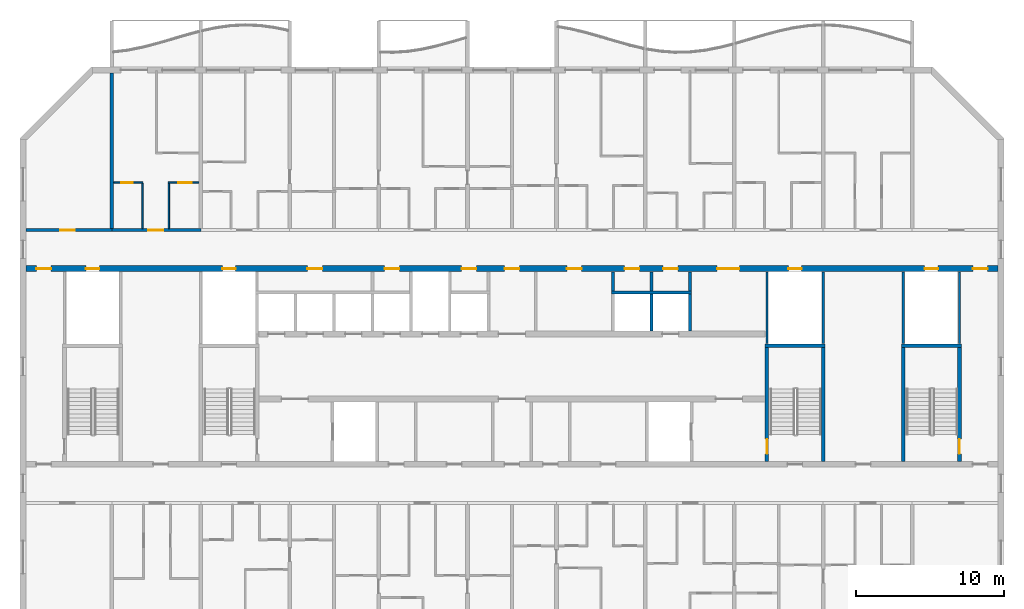
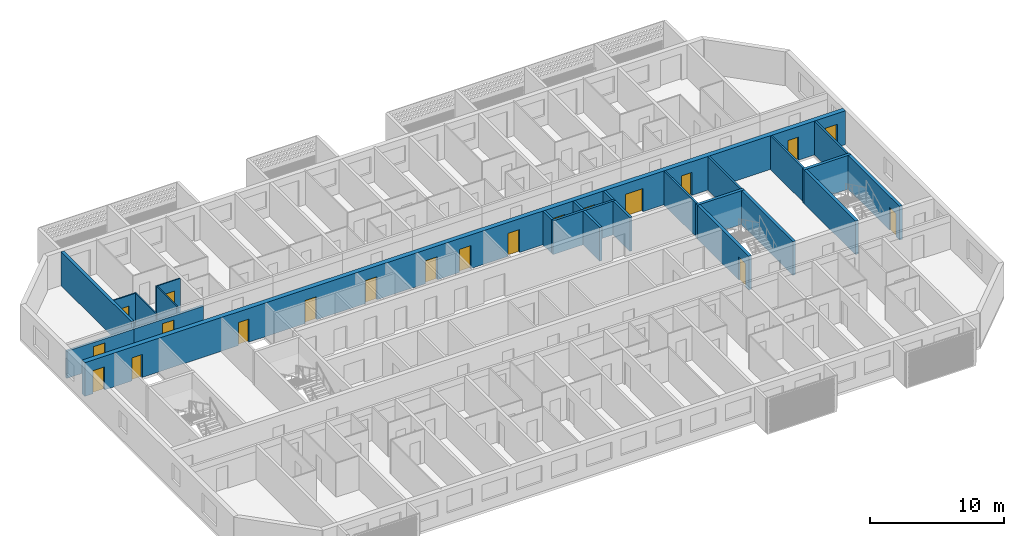
# One storey, part 7 of 28: 24 walls, 20 doors, 20 openings.
"""IFC4 building model written with IfcOpenShell, lengths in metres."""

from ifc_helpers import new_model, si_unit, direction, frame, frame_2d, origin, place, context, subcontext, project, spatial, rectangle, extrude, material, layer, layer_set, type_object, element, fill, save


model = new_model("IFC4")

# Units and contexts
model_context = context("Model", 3, precision=1e-05, world=origin(), true_north=direction((0.0, 1.0)))
body_context = subcontext(model_context, "Body", "Model", "MODEL_VIEW")
ifc_project = project(units=[si_unit("LENGTHUNIT", "METRE"), si_unit("AREAUNIT", "SQUARE_METRE"), si_unit("VOLUMEUNIT", "CUBIC_METRE"), si_unit("PLANEANGLEUNIT", "RADIAN"), si_unit("MASSUNIT", "GRAM", prefix="KILO")], contexts=[model_context])

# Site, building, storey
site_placement = place(None, origin())
site = spatial("IfcSite", under=ifc_project, at=site_placement, CompositionType="ELEMENT")
building_placement = place(site_placement, origin())
building = spatial("IfcBuilding", under=site, at=building_placement, Name="Poui Terraces", CompositionType="ELEMENT")
storey_placement = place(building_placement, frame((0.0, 0.0, 185.10009765625)))
storey = spatial("IfcBuildingStorey", under=building, at=storey_placement, Name="L51", CompositionType="ELEMENT", Elevation=185.10009765625)

# Wall, opening, door
ifc_material_1 = material(Name="Concrete 50 MPa", Category="concrete")
ifc_layer_1 = layer(ifc_material_1, 0.199951171875)
ifc_layer_set_1 = layer_set([ifc_layer_1], Name="Concrete 50 MPa")
wall_type_1 = type_object("IfcWallType", Name="CORRIDOR WALL 200 50MPa", PredefinedType="SHEAR", material=ifc_layer_set_1)
wall_1_placement = place(storey_placement, frame((18.199951171875, 30.39990234375, 0.0), z_axis=(0.0, 0.0, 1.0), x_axis=(1.0, 0.0, 0.0)))
wall_1 = element("IfcWall", 1, at=wall_1_placement, inside=storey, type_object=wall_type_1, Name="CORRIDOR WALL LINE E BAY 1", PredefinedType="SHEAR", context=body_context, shape_type="SweptSolid", body=[
    extrude(rectangle(XDim=5.800048828125, YDim=0.199951171875, at=frame_2d((2.89990234375, 0.0))), origin(), (0.0, 0.0, 1.0), 2.47998046875),
])
opening_1_placement = place(wall_1_placement, frame((2.300048828125, 0.0, 0.0)))
opening_1 = element("IfcOpeningElement", 2, at=opening_1_placement, cuts=wall_1, Name="Opening D100", PredefinedType="OPENING", context=body_context, shape_type="SweptSolid", body=[
    extrude(rectangle(XDim=1.0, YDim=2.10009765625, at=frame_2d((0.5, 1.050048828125))), frame((0.0, 0.10986328125, 0.0), z_axis=(0.0, -1.0, 0.0), x_axis=(1.0, 0.0, 0.0)), (0.0, 0.0, 1.0), 0.219970703125),
])
ifc_material_2 = material(Name="Solid core timber door", Category="wood")
door_type_1 = type_object("IfcDoorType", Name="ACCESSIBLE INTERNAL DOOR 1000 X 2100", OperationType="NOTDEFINED", PredefinedType="DOOR", material=ifc_material_2)
door_1_placement = place(opening_1_placement, origin())
door_1 = element("IfcDoor", 3, at=door_1_placement, inside=storey, type_object=door_type_1, Name="ACCESSIBLE INTERNAL DOOR 026", OperationType="SINGLE_SWING_LEFT", OverallHeight=2.10009765625, OverallWidth=1.0, PredefinedType="DOOR", context=body_context, shape_type="SweptSolid", body=[
    extrude(rectangle(XDim=1.0, YDim=2.10009765625, at=frame_2d((0.5, 1.050048828125))), frame((0.0, 0.02490234375, 0.0), z_axis=(0.0, -1.0, 0.0), x_axis=(1.0, 0.0, 0.0)), (0.0, 0.0, 1.0), 0.050048828125),
])
fill(opening_1, door_1)

wall_2_placement = place(storey_placement, frame((24.0, 30.39990234375, 0.0), z_axis=(0.0, 0.0, 1.0), x_axis=(1.0, 0.0, 0.0)))
wall_2 = element("IfcWall", 4, at=wall_2_placement, inside=storey, type_object=wall_type_1, Name="CORRIDOR WALL LINE E BAY 2", PredefinedType="SHEAR", context=body_context, shape_type="SweptSolid", body=[
    extrude(rectangle(XDim=6.0, YDim=0.199951171875, at=frame_2d((3.0, 0.0))), origin(), (0.0, 0.0, 1.0), 2.47998046875),
])
opening_2_placement = place(wall_2_placement, frame((2.449951171875, 0.0, 0.0)))
opening_2 = element("IfcOpeningElement", 5, at=opening_2_placement, cuts=wall_2, Name="Opening FD30S", PredefinedType="OPENING", context=body_context, shape_type="SweptSolid", body=[
    extrude(rectangle(XDim=1.0, YDim=2.10009765625, at=frame_2d((0.5, 1.050048828125))), frame((0.0, 0.10986328125, 0.0), z_axis=(0.0, -1.0, 0.0), x_axis=(1.0, 0.0, 0.0)), (0.0, 0.0, 1.0), 0.219970703125),
])
ifc_material_3 = material(Name="Steel fire door", Category="steel")
door_type_2 = type_object("IfcDoorType", Name="FLAT ENTRANCE DOOR 1000 X 2100", OperationType="NOTDEFINED", PredefinedType="DOOR", material=ifc_material_3)
door_2_placement = place(opening_2_placement, origin())
door_2 = element("IfcDoor", 6, at=door_2_placement, inside=storey, type_object=door_type_2, Name="FLAT ENTRANCE DOOR 028", OperationType="SINGLE_SWING_LEFT", OverallHeight=2.10009765625, OverallWidth=1.0, PredefinedType="DOOR", context=body_context, shape_type="SweptSolid", body=[
    extrude(rectangle(XDim=1.0, YDim=2.10009765625, at=frame_2d((0.5, 1.050048828125))), frame((0.0, 0.02490234375, 0.0), z_axis=(0.0, -1.0, 0.0), x_axis=(1.0, 0.0, 0.0)), (0.0, 0.0, 1.0), 0.050048828125),
])
fill(opening_2, door_2)

# Wall
ifc_layer_2 = layer(ifc_material_1, 0.25)
ifc_layer_set_2 = layer_set([ifc_layer_2], Name="Concrete 50 MPa")
wall_type_2 = type_object("IfcWallType", Name="CROSS WALL 250 50MPa", PredefinedType="SHEAR", material=ifc_layer_set_2)
wall_3_placement = place(storey_placement, frame((24.0, 30.5, 0.0), z_axis=(0.0, 0.0, 1.0), x_axis=(0.0, 1.0, 0.0)))
element("IfcWall", 7, at=wall_3_placement, inside=storey, type_object=wall_type_2, Name="CROSS WALL LINE 5 NORTH", PredefinedType="SHEAR", context=body_context, shape_type="SweptSolid", body=[
    extrude(rectangle(XDim=10.5, YDim=0.25, at=frame_2d((5.25, 0.0))), origin(), (0.0, 0.0, 1.0), 3.079833984375),
])

# Wall, opening, door
ifc_material_4 = material(Name="Plasterboard partition")
ifc_layer_3 = layer(ifc_material_4, 0.10009765625)
ifc_layer_set_3 = layer_set([ifc_layer_3], Name="Plasterboard partition")
wall_type_3 = type_object("IfcWallType", Name="FLAT PARTITION 100", PredefinedType="PARTITIONING", material=ifc_layer_set_3)
wall_4_placement = place(storey_placement, frame((24.135009765625, 33.60009765625, 0.0), z_axis=(0.0, 0.0, 1.0), x_axis=(1.0, 0.0, 0.0)))
wall_4 = element("IfcWall", 8, at=wall_4_placement, inside=storey, type_object=wall_type_3, Name="FLAT PARTITION 100", PredefinedType="PARTITIONING", context=body_context, shape_type="SweptSolid", body=[
    extrude(rectangle(XDim=1.965087890625, YDim=0.10009765625, at=frame_2d((0.982421875, 0.0))), origin(), (0.0, 0.0, 1.0), 3.079833984375),
])
opening_3_placement = place(wall_4_placement, frame((0.489990234375, 0.0, 0.0)))
opening_3 = element("IfcOpeningElement", 9, at=opening_3_placement, cuts=wall_4, Name="Opening D80", PredefinedType="OPENING", context=body_context, shape_type="SweptSolid", body=[
    extrude(rectangle(XDim=0.800048828125, YDim=2.10009765625, at=frame_2d((0.39990234375, 1.050048828125))), frame((0.0, 0.06005859375, 0.0), z_axis=(0.0, -1.0, 0.0), x_axis=(1.0, 0.0, 0.0)), (0.0, 0.0, 1.0), 0.1201171875),
])
door_type_3 = type_object("IfcDoorType", Name="BATHROOM, LAUNDRY AND STORE DOOR 800 X 2100", OperationType="NOTDEFINED", PredefinedType="DOOR", material=ifc_material_2)
door_3_placement = place(opening_3_placement, frame((0.800048828125, 0.0, 0.0), z_axis=(0.0, 0.0, 1.0), x_axis=(-1.0, 0.0, 0.0)))
door_3 = element("IfcDoor", 10, at=door_3_placement, inside=storey, type_object=door_type_3, Name="BATHROOM, LAUNDRY AND STORE DOOR 027", OperationType="SINGLE_SWING_LEFT", OverallHeight=2.10009765625, OverallWidth=0.800048828125, PredefinedType="DOOR", context=body_context, shape_type="SweptSolid", body=[
    extrude(rectangle(XDim=0.800048828125, YDim=2.10009765625, at=frame_2d((0.39990234375, 1.050048828125))), frame((0.0, 0.02490234375, 0.0), z_axis=(0.0, -1.0, 0.0), x_axis=(1.0, 0.0, 0.0)), (0.0, 0.0, 1.0), 0.050048828125),
])
fill(opening_3, door_3)

wall_5_placement = place(storey_placement, frame((27.800048828125, 33.60009765625, 0.0), z_axis=(0.0, 0.0, 1.0), x_axis=(1.0, 0.0, 0.0)))
wall_5 = element("IfcWall", 11, at=wall_5_placement, inside=storey, type_object=wall_type_3, Name="FLAT PARTITION 100", PredefinedType="PARTITIONING", context=body_context, shape_type="SweptSolid", body=[
    extrude(rectangle(XDim=2.06494140625, YDim=0.10009765625, at=frame_2d((1.032470703125, 0.0))), origin(), (0.0, 0.0, 1.0), 3.079833984375),
])
opening_4_placement = place(wall_5_placement, frame((0.675048828125, 0.0, 0.0)))
opening_4 = element("IfcOpeningElement", 12, at=opening_4_placement, cuts=wall_5, Name="Opening D90", PredefinedType="OPENING", context=body_context, shape_type="SweptSolid", body=[
    extrude(rectangle(XDim=0.89990234375, YDim=2.10009765625, at=frame_2d((0.449951171875, 1.050048828125))), frame((0.0, 0.06005859375, 0.0), z_axis=(0.0, -1.0, 0.0), x_axis=(1.0, 0.0, 0.0)), (0.0, 0.0, 1.0), 0.1201171875),
])
door_type_4 = type_object("IfcDoorType", Name="INTERNAL DOOR 900 X 2100", OperationType="NOTDEFINED", PredefinedType="DOOR", material=ifc_material_2)
door_4_placement = place(opening_4_placement, frame((0.89990234375, 0.0, 0.0), z_axis=(0.0, 0.0, 1.0), x_axis=(-1.0, 0.0, 0.0)))
door_4 = element("IfcDoor", 13, at=door_4_placement, inside=storey, type_object=door_type_4, Name="INTERNAL DOOR 030", OperationType="SINGLE_SWING_RIGHT", OverallHeight=2.10009765625, OverallWidth=0.89990234375, PredefinedType="DOOR", context=body_context, shape_type="SweptSolid", body=[
    extrude(rectangle(XDim=0.89990234375, YDim=2.10009765625, at=frame_2d((0.449951171875, 1.050048828125))), frame((0.0, 0.02490234375, 0.0), z_axis=(0.0, -1.0, 0.0), x_axis=(1.0, 0.0, 0.0)), (0.0, 0.0, 1.0), 0.050048828125),
])
fill(opening_4, door_4)

# Walls
for number, where, z_axis, x_axis, name in (
    (14, (26.050048828125, 30.510009765625, 0.0), (0.0, 0.0, 1.0), (0.0, 1.0, 0.0), "FLAT PARTITION 100"),
    (15, (27.85009765625, 30.510009765625, 0.0), (0.0, 0.0, 1.0), (0.0, 1.0, 0.0), "FLAT PARTITION 100"),
):
    element("IfcWall", number, at=place(storey_placement, frame(where, z_axis=z_axis, x_axis=x_axis)), inside=storey, type_object=wall_type_3, Name=name, PredefinedType="PARTITIONING", context=body_context, shape_type="SweptSolid", body=[
        extrude(rectangle(XDim=3.0400390625, YDim=0.10009765625, at=frame_2d((1.52001953125, 0.0))), origin(), (0.0, 0.0, 1.0), 3.079833984375),
    ])
ifc_material_5 = material(Name="Fire-rated masonry wall", Category="masonry")
ifc_layer_4 = layer(ifc_material_5, 0.199951171875)
ifc_layer_set_4 = layer_set([ifc_layer_4], Name="Fire-rated masonry wall")
wall_type_4 = type_object("IfcWallType", Name="PLANT ROOM WALL 200", PredefinedType="PARTITIONING", material=ifc_layer_set_4)
for number, where, z_axis, x_axis, name in (
    (16, (57.800048828125, 26.300048828125, 0.0), (0.0, 0.0, 1.0), (0.0, 1.0, 0.0), "PLANT ROOM WALL 200"),
    (17, (60.39990234375, 26.300048828125, 0.0), (0.0, 0.0, 1.0), (0.0, 1.0, 0.0), "PLANT ROOM WALL 200"),
    (18, (63.0, 26.300048828125, 0.0), (0.0, 0.0, 1.0), (0.0, 1.0, 0.0), "PLANT ROOM WALL 200"),
):
    element("IfcWall", number, at=place(storey_placement, frame(where, z_axis=z_axis, x_axis=x_axis)), inside=storey, type_object=wall_type_4, Name=name, PredefinedType="PARTITIONING", context=body_context, shape_type="SweptSolid", body=[
        extrude(rectangle(XDim=1.2900390625, YDim=0.199951171875, at=frame_2d((0.64501953125, 0.0))), origin(), (0.0, 0.0, 1.0), 3.079833984375),
    ])
ifc_material_6 = material(Name="Fire-rated plasterboard riser wall")
ifc_layer_5 = layer(ifc_material_6, 0.14990234375)
ifc_layer_set_5 = layer_set([ifc_layer_5], Name="Fire-rated plasterboard riser wall")
wall_type_5 = type_object("IfcWallType", Name="RISER WALL 150", PredefinedType="PARTITIONING", material=ifc_layer_set_5)
for number, where, z_axis, x_axis, name in (
    (19, (68.199951171875, 22.735107421875, 0.0), (0.0, 0.0, 1.0), (0.0, 1.0, 0.0), "RISER WALL 150"),
    (20, (72.0, 22.735107421875, 0.0), (0.0, 0.0, 1.0), (0.0, 1.0, 0.0), "RISER WALL 150"),
    (21, (77.39990234375, 22.735107421875, 0.0), (0.0, 0.0, 1.0), (0.0, 1.0, 0.0), "RISER WALL 150"),
    (22, (81.199951171875, 22.735107421875, 0.0), (0.0, 0.0, 1.0), (0.0, 1.0, 0.0), "RISER WALL 150"),
):
    element("IfcWall", number, at=place(storey_placement, frame(where, z_axis=z_axis, x_axis=x_axis)), inside=storey, type_object=wall_type_5, Name=name, PredefinedType="PARTITIONING", context=body_context, shape_type="SweptSolid", body=[
        extrude(rectangle(XDim=4.85498046875, YDim=0.14990234375, at=frame_2d((2.427490234375, 0.0))), origin(), (0.0, 0.0, 1.0), 3.079833984375),
    ])
ifc_material_7 = material(Name="Fire-rated masonry shaft wall", Category="masonry")
ifc_layer_6 = layer(ifc_material_7, 0.199951171875)
ifc_layer_set_6 = layer_set([ifc_layer_6], Name="Fire-rated masonry shaft wall")
wall_type_6 = type_object("IfcWallType", Name="SHAFT WALL 200", PredefinedType="PARTITIONING", material=ifc_layer_set_6)
wall_6_placement = place(storey_placement, frame((57.699951171875, 26.199951171875, 0.0), z_axis=(0.0, 0.0, 1.0), x_axis=(1.0, 0.0, 0.0)))
element("IfcWall", 23, at=wall_6_placement, inside=storey, type_object=wall_type_6, Name="SHAFT WALL 200", PredefinedType="PARTITIONING", context=body_context, shape_type="SweptSolid", body=[
    extrude(rectangle(XDim=5.400146484375, YDim=0.199951171875, at=frame_2d((2.7001953125, 0.0))), origin(), (0.0, 0.0, 1.0), 3.079833984375),
])
for number, where, z_axis, x_axis, name in (
    (24, (60.39990234375, 23.610107421875, 0.0), (0.0, 0.0, 1.0), (0.0, 1.0, 0.0), "SHAFT WALL 200"),
    (25, (63.0, 23.610107421875, 0.0), (0.0, 0.0, 1.0), (0.0, 1.0, 0.0), "SHAFT WALL 200"),
):
    element("IfcWall", number, at=place(storey_placement, frame(where, z_axis=z_axis, x_axis=x_axis)), inside=storey, type_object=wall_type_6, Name=name, PredefinedType="PARTITIONING", context=body_context, shape_type="SweptSolid", body=[
        extrude(rectangle(XDim=2.489990234375, YDim=0.199951171875, at=frame_2d((1.2451171875, 0.0))), origin(), (0.0, 0.0, 1.0), 3.079833984375),
    ])

# Wall, openings, doors
ifc_layer_7 = layer(ifc_material_1, 0.39990234375)
ifc_layer_set_7 = layer_set([ifc_layer_7], Name="Concrete 50 MPa")
wall_type_7 = type_object("IfcWallType", Name="SPINE WALL 400 50 MPA", PredefinedType="SOLIDWALL", material=ifc_layer_set_7)
wall_7_placement = place(storey_placement, frame((18.199951171875, 27.800048828125, 0.0), z_axis=(0.0, 0.0, 1.0), x_axis=(1.0, 0.0, 0.0)))
wall_7 = element("IfcWall", 26, at=wall_7_placement, inside=storey, type_object=wall_type_7, Name="SPINE WALL", PredefinedType="SOLIDWALL", context=body_context, shape_type="SweptSolid", body=[
    extrude(rectangle(XDim=65.60009765625, YDim=0.39990234375, at=frame_2d((32.800048828125, 0.0))), origin(), (0.0, 0.0, 1.0), 3.079833984375),
])
opening_5_placement = place(wall_7_placement, frame((0.699951171875, 0.0, 0.0)))
opening_5 = element("IfcOpeningElement", 27, at=opening_5_placement, cuts=wall_7, Name="Opening FDL", PredefinedType="OPENING", context=body_context, shape_type="SweptSolid", body=[
    extrude(rectangle(XDim=1.0, YDim=2.10009765625, at=frame_2d((0.5, 1.050048828125))), frame((0.0, 0.2099609375, 0.0), z_axis=(0.0, -1.0, 0.0), x_axis=(1.0, 0.0, 0.0)), (0.0, 0.0, 1.0), 0.419921875),
])
opening_6_placement = place(wall_7_placement, frame((4.050048828125, 0.0, 0.0)))
opening_6 = element("IfcOpeningElement", 28, at=opening_6_placement, cuts=wall_7, Name="Opening FDR", PredefinedType="OPENING", context=body_context, shape_type="SweptSolid", body=[
    extrude(rectangle(XDim=0.89990234375, YDim=2.10009765625, at=frame_2d((0.449951171875, 1.050048828125))), frame((0.0, 0.2099609375, 0.0), z_axis=(0.0, -1.0, 0.0), x_axis=(1.0, 0.0, 0.0)), (0.0, 0.0, 1.0), 0.419921875),
])
opening_7_placement = place(wall_7_placement, frame((13.25, 0.0, 0.0)))
opening_7 = element("IfcOpeningElement", 29, at=opening_7_placement, cuts=wall_7, Name="Opening FDR", PredefinedType="OPENING", context=body_context, shape_type="SweptSolid", body=[
    extrude(rectangle(XDim=0.89990234375, YDim=2.10009765625, at=frame_2d((0.449951171875, 1.050048828125))), frame((0.0, 0.2099609375, 0.0), z_axis=(0.0, -1.0, 0.0), x_axis=(1.0, 0.0, 0.0)), (0.0, 0.0, 1.0), 0.419921875),
])
opening_8_placement = place(wall_7_placement, frame((19.0, 0.0, 0.0)))
opening_8 = element("IfcOpeningElement", 30, at=opening_8_placement, cuts=wall_7, Name="Opening FD60", PredefinedType="OPENING", context=body_context, shape_type="SweptSolid", body=[
    extrude(rectangle(XDim=1.0, YDim=2.10009765625, at=frame_2d((0.5, 1.050048828125))), frame((0.0, 0.2099609375, 0.0), z_axis=(0.0, -1.0, 0.0), x_axis=(1.0, 0.0, 0.0)), (0.0, 0.0, 1.0), 0.419921875),
])
opening_9_placement = place(wall_7_placement, frame((24.199951171875, 0.0, 0.0)))
opening_9 = element("IfcOpeningElement", 31, at=opening_9_placement, cuts=wall_7, Name="Opening FD60", PredefinedType="OPENING", context=body_context, shape_type="SweptSolid", body=[
    extrude(rectangle(XDim=1.0, YDim=2.10009765625, at=frame_2d((0.5, 1.050048828125))), frame((0.0, 0.2099609375, 0.0), z_axis=(0.0, -1.0, 0.0), x_axis=(1.0, 0.0, 0.0)), (0.0, 0.0, 1.0), 0.419921875),
])
opening_10_placement = place(wall_7_placement, frame((29.39990234375, 0.0, 0.0)))
opening_10 = element("IfcOpeningElement", 32, at=opening_10_placement, cuts=wall_7, Name="Opening FD60", PredefinedType="OPENING", context=body_context, shape_type="SweptSolid", body=[
    extrude(rectangle(XDim=1.0, YDim=2.10009765625, at=frame_2d((0.5, 1.050048828125))), frame((0.0, 0.2099609375, 0.0), z_axis=(0.0, -1.0, 0.0), x_axis=(1.0, 0.0, 0.0)), (0.0, 0.0, 1.0), 0.419921875),
])
opening_11_placement = place(wall_7_placement, frame((32.300048828125, 0.0, 0.0)))
opening_11 = element("IfcOpeningElement", 33, at=opening_11_placement, cuts=wall_7, Name="Opening FDL", PredefinedType="OPENING", context=body_context, shape_type="SweptSolid", body=[
    extrude(rectangle(XDim=1.0, YDim=2.10009765625, at=frame_2d((0.5, 1.050048828125))), frame((0.0, 0.2099609375, 0.0), z_axis=(0.0, -1.0, 0.0), x_axis=(1.0, 0.0, 0.0)), (0.0, 0.0, 1.0), 0.419921875),
])
opening_12_placement = place(wall_7_placement, frame((36.5, 0.0, 0.0)))
opening_12 = element("IfcOpeningElement", 34, at=opening_12_placement, cuts=wall_7, Name="Opening FD60", PredefinedType="OPENING", context=body_context, shape_type="SweptSolid", body=[
    extrude(rectangle(XDim=1.0, YDim=2.10009765625, at=frame_2d((0.5, 1.050048828125))), frame((0.0, 0.2099609375, 0.0), z_axis=(0.0, -1.0, 0.0), x_axis=(1.0, 0.0, 0.0)), (0.0, 0.0, 1.0), 0.419921875),
])
opening_13_placement = place(wall_7_placement, frame((40.39990234375, 0.0, 0.0)))
opening_13 = element("IfcOpeningElement", 35, at=opening_13_placement, cuts=wall_7, Name="Opening FD60", PredefinedType="OPENING", context=body_context, shape_type="SweptSolid", body=[
    extrude(rectangle(XDim=1.0, YDim=2.10009765625, at=frame_2d((0.5, 1.050048828125))), frame((0.0, 0.2099609375, 0.0), z_axis=(0.0, -1.0, 0.0), x_axis=(1.0, 0.0, 0.0)), (0.0, 0.0, 1.0), 0.419921875),
])
opening_14_placement = place(wall_7_placement, frame((43.0, 0.0, 0.0)))
opening_14 = element("IfcOpeningElement", 36, at=opening_14_placement, cuts=wall_7, Name="Opening FD60", PredefinedType="OPENING", context=body_context, shape_type="SweptSolid", body=[
    extrude(rectangle(XDim=1.0, YDim=2.10009765625, at=frame_2d((0.5, 1.050048828125))), frame((0.0, 0.2099609375, 0.0), z_axis=(0.0, -1.0, 0.0), x_axis=(1.0, 0.0, 0.0)), (0.0, 0.0, 1.0), 0.419921875),
])
opening_15_placement = place(wall_7_placement, frame((46.64990234375, 0.0, 0.0)))
opening_15 = element("IfcOpeningElement", 37, at=opening_15_placement, cuts=wall_7, Name="Opening FDP", PredefinedType="OPENING", context=body_context, shape_type="SweptSolid", body=[
    extrude(rectangle(XDim=1.5, YDim=2.10009765625, at=frame_2d((0.75, 1.050048828125))), frame((0.0, 0.2099609375, 0.0), z_axis=(0.0, -1.0, 0.0), x_axis=(1.0, 0.0, 0.0)), (0.0, 0.0, 1.0), 0.419921875),
])
opening_16_placement = place(wall_7_placement, frame((51.449951171875, 0.0, 0.0)))
opening_16 = element("IfcOpeningElement", 38, at=opening_16_placement, cuts=wall_7, Name="Opening FDR", PredefinedType="OPENING", context=body_context, shape_type="SweptSolid", body=[
    extrude(rectangle(XDim=0.89990234375, YDim=2.10009765625, at=frame_2d((0.449951171875, 1.050048828125))), frame((0.0, 0.2099609375, 0.0), z_axis=(0.0, -1.0, 0.0), x_axis=(1.0, 0.0, 0.0)), (0.0, 0.0, 1.0), 0.419921875),
])
opening_17_placement = place(wall_7_placement, frame((60.64990234375, 0.0, 0.0)))
opening_17 = element("IfcOpeningElement", 39, at=opening_17_placement, cuts=wall_7, Name="Opening FDR", PredefinedType="OPENING", context=body_context, shape_type="SweptSolid", body=[
    extrude(rectangle(XDim=0.89990234375, YDim=2.10009765625, at=frame_2d((0.449951171875, 1.050048828125))), frame((0.0, 0.2099609375, 0.0), z_axis=(0.0, -1.0, 0.0), x_axis=(1.0, 0.0, 0.0)), (0.0, 0.0, 1.0), 0.419921875),
])
opening_18_placement = place(wall_7_placement, frame((63.89990234375, 0.0, 0.0)))
opening_18 = element("IfcOpeningElement", 40, at=opening_18_placement, cuts=wall_7, Name="Opening FDL", PredefinedType="OPENING", context=body_context, shape_type="SweptSolid", body=[
    extrude(rectangle(XDim=1.0, YDim=2.10009765625, at=frame_2d((0.5, 1.050048828125))), frame((0.0, 0.2099609375, 0.0), z_axis=(0.0, -1.0, 0.0), x_axis=(1.0, 0.0, 0.0)), (0.0, 0.0, 1.0), 0.419921875),
])
door_type_5 = type_object("IfcDoorType", Name="LOBBY FIRE DOOR 1000 X 2100", OperationType="NOTDEFINED", PredefinedType="DOOR", material=ifc_material_3)
door_5_placement = place(opening_5_placement, origin())
door_5 = element("IfcDoor", 41, at=door_5_placement, inside=storey, type_object=door_type_5, Name="LOBBY FIRE DOOR 001", OperationType="SINGLE_SWING_LEFT", OverallHeight=2.10009765625, OverallWidth=1.0, PredefinedType="DOOR", context=body_context, shape_type="SweptSolid", body=[
    extrude(rectangle(XDim=1.0, YDim=2.10009765625, at=frame_2d((0.5, 1.050048828125))), frame((0.0, 0.02490234375, 0.0), z_axis=(0.0, -1.0, 0.0), x_axis=(1.0, 0.0, 0.0)), (0.0, 0.0, 1.0), 0.050048828125),
])
fill(opening_5, door_5)
door_6_placement = place(opening_11_placement, origin())
door_6 = element("IfcDoor", 42, at=door_6_placement, inside=storey, type_object=door_type_5, Name="LOBBY FIRE DOOR 007", OperationType="SINGLE_SWING_RIGHT", OverallHeight=2.10009765625, OverallWidth=1.0, PredefinedType="DOOR", context=body_context, shape_type="SweptSolid", body=[
    extrude(rectangle(XDim=1.0, YDim=2.10009765625, at=frame_2d((0.5, 1.050048828125))), frame((0.0, 0.02490234375, 0.0), z_axis=(0.0, -1.0, 0.0), x_axis=(1.0, 0.0, 0.0)), (0.0, 0.0, 1.0), 0.050048828125),
])
fill(opening_11, door_6)
door_7_placement = place(opening_18_placement, origin())
door_7 = element("IfcDoor", 43, at=door_7_placement, inside=storey, type_object=door_type_5, Name="LOBBY FIRE DOOR 014", OperationType="SINGLE_SWING_RIGHT", OverallHeight=2.10009765625, OverallWidth=1.0, PredefinedType="DOOR", context=body_context, shape_type="SweptSolid", body=[
    extrude(rectangle(XDim=1.0, YDim=2.10009765625, at=frame_2d((0.5, 1.050048828125))), frame((0.0, 0.02490234375, 0.0), z_axis=(0.0, -1.0, 0.0), x_axis=(1.0, 0.0, 0.0)), (0.0, 0.0, 1.0), 0.050048828125),
])
fill(opening_18, door_7)
door_type_6 = type_object("IfcDoorType", Name="PLANT ROOM DOOR PAIR 1500 X 2100", OperationType="DOUBLE_DOOR_SINGLE_SWING", PredefinedType="DOOR", material=ifc_material_3)
door_8_placement = place(opening_15_placement, origin())
door_8 = element("IfcDoor", 44, at=door_8_placement, inside=storey, type_object=door_type_6, Name="PLANT ROOM DOOR PAIR 011", OperationType="DOUBLE_DOOR_SINGLE_SWING", OverallHeight=2.10009765625, OverallWidth=1.5, PredefinedType="DOOR", context=body_context, shape_type="SweptSolid", body=[
    extrude(rectangle(XDim=1.5, YDim=2.10009765625, at=frame_2d((0.75, 1.050048828125))), frame((0.0, 0.02490234375, 0.0), z_axis=(0.0, -1.0, 0.0), x_axis=(1.0, 0.0, 0.0)), (0.0, 0.0, 1.0), 0.050048828125),
])
fill(opening_15, door_8)
door_type_7 = type_object("IfcDoorType", Name="RISER CUPBOARD DOOR 900 X 2100", OperationType="NOTDEFINED", PredefinedType="DOOR", material=ifc_material_3)
door_9_placement = place(opening_6_placement, origin())
door_9 = element("IfcDoor", 45, at=door_9_placement, inside=storey, type_object=door_type_7, Name="RISER CUPBOARD DOOR 002", OperationType="SINGLE_SWING_LEFT", OverallHeight=2.10009765625, OverallWidth=0.89990234375, PredefinedType="DOOR", context=body_context, shape_type="SweptSolid", body=[
    extrude(rectangle(XDim=0.89990234375, YDim=2.10009765625, at=frame_2d((0.449951171875, 1.050048828125))), frame((0.0, 0.02490234375, 0.0), z_axis=(0.0, -1.0, 0.0), x_axis=(1.0, 0.0, 0.0)), (0.0, 0.0, 1.0), 0.050048828125),
])
fill(opening_6, door_9)
door_10_placement = place(opening_7_placement, origin())
door_10 = element("IfcDoor", 46, at=door_10_placement, inside=storey, type_object=door_type_7, Name="RISER CUPBOARD DOOR 003", OperationType="SINGLE_SWING_LEFT", OverallHeight=2.10009765625, OverallWidth=0.89990234375, PredefinedType="DOOR", context=body_context, shape_type="SweptSolid", body=[
    extrude(rectangle(XDim=0.89990234375, YDim=2.10009765625, at=frame_2d((0.449951171875, 1.050048828125))), frame((0.0, 0.02490234375, 0.0), z_axis=(0.0, -1.0, 0.0), x_axis=(1.0, 0.0, 0.0)), (0.0, 0.0, 1.0), 0.050048828125),
])
fill(opening_7, door_10)
door_11_placement = place(opening_16_placement, origin())
door_11 = element("IfcDoor", 47, at=door_11_placement, inside=storey, type_object=door_type_7, Name="RISER CUPBOARD DOOR 012", OperationType="SINGLE_SWING_RIGHT", OverallHeight=2.10009765625, OverallWidth=0.89990234375, PredefinedType="DOOR", context=body_context, shape_type="SweptSolid", body=[
    extrude(rectangle(XDim=0.89990234375, YDim=2.10009765625, at=frame_2d((0.449951171875, 1.050048828125))), frame((0.0, 0.02490234375, 0.0), z_axis=(0.0, -1.0, 0.0), x_axis=(1.0, 0.0, 0.0)), (0.0, 0.0, 1.0), 0.050048828125),
])
fill(opening_16, door_11)
door_12_placement = place(opening_17_placement, origin())
door_12 = element("IfcDoor", 48, at=door_12_placement, inside=storey, type_object=door_type_7, Name="RISER CUPBOARD DOOR 013", OperationType="SINGLE_SWING_RIGHT", OverallHeight=2.10009765625, OverallWidth=0.89990234375, PredefinedType="DOOR", context=body_context, shape_type="SweptSolid", body=[
    extrude(rectangle(XDim=0.89990234375, YDim=2.10009765625, at=frame_2d((0.449951171875, 1.050048828125))), frame((0.0, 0.02490234375, 0.0), z_axis=(0.0, -1.0, 0.0), x_axis=(1.0, 0.0, 0.0)), (0.0, 0.0, 1.0), 0.050048828125),
])
fill(opening_17, door_12)
door_type_8 = type_object("IfcDoorType", Name="SERVICE ROOM FIRE DOOR 1000 X 2100", OperationType="NOTDEFINED", PredefinedType="DOOR", material=ifc_material_3)
door_13_placement = place(opening_8_placement, origin())
door_13 = element("IfcDoor", 49, at=door_13_placement, inside=storey, type_object=door_type_8, Name="SERVICE ROOM FIRE DOOR 004", OperationType="SINGLE_SWING_LEFT", OverallHeight=2.10009765625, OverallWidth=1.0, PredefinedType="DOOR", context=body_context, shape_type="SweptSolid", body=[
    extrude(rectangle(XDim=1.0, YDim=2.10009765625, at=frame_2d((0.5, 1.050048828125))), frame((0.0, 0.02490234375, 0.0), z_axis=(0.0, -1.0, 0.0), x_axis=(1.0, 0.0, 0.0)), (0.0, 0.0, 1.0), 0.050048828125),
])
fill(opening_8, door_13)
door_14_placement = place(opening_9_placement, origin())
door_14 = element("IfcDoor", 50, at=door_14_placement, inside=storey, type_object=door_type_8, Name="SERVICE ROOM FIRE DOOR 005", OperationType="SINGLE_SWING_RIGHT", OverallHeight=2.10009765625, OverallWidth=1.0, PredefinedType="DOOR", context=body_context, shape_type="SweptSolid", body=[
    extrude(rectangle(XDim=1.0, YDim=2.10009765625, at=frame_2d((0.5, 1.050048828125))), frame((0.0, 0.02490234375, 0.0), z_axis=(0.0, -1.0, 0.0), x_axis=(1.0, 0.0, 0.0)), (0.0, 0.0, 1.0), 0.050048828125),
])
fill(opening_9, door_14)
door_15_placement = place(opening_10_placement, origin())
door_15 = element("IfcDoor", 51, at=door_15_placement, inside=storey, type_object=door_type_8, Name="SERVICE ROOM FIRE DOOR 006", OperationType="SINGLE_SWING_LEFT", OverallHeight=2.10009765625, OverallWidth=1.0, PredefinedType="DOOR", context=body_context, shape_type="SweptSolid", body=[
    extrude(rectangle(XDim=1.0, YDim=2.10009765625, at=frame_2d((0.5, 1.050048828125))), frame((0.0, 0.02490234375, 0.0), z_axis=(0.0, -1.0, 0.0), x_axis=(1.0, 0.0, 0.0)), (0.0, 0.0, 1.0), 0.050048828125),
])
fill(opening_10, door_15)
door_16_placement = place(opening_12_placement, origin())
door_16 = element("IfcDoor", 52, at=door_16_placement, inside=storey, type_object=door_type_8, Name="SERVICE ROOM FIRE DOOR 008", OperationType="SINGLE_SWING_RIGHT", OverallHeight=2.10009765625, OverallWidth=1.0, PredefinedType="DOOR", context=body_context, shape_type="SweptSolid", body=[
    extrude(rectangle(XDim=1.0, YDim=2.10009765625, at=frame_2d((0.5, 1.050048828125))), frame((0.0, 0.02490234375, 0.0), z_axis=(0.0, -1.0, 0.0), x_axis=(1.0, 0.0, 0.0)), (0.0, 0.0, 1.0), 0.050048828125),
])
fill(opening_12, door_16)
door_17_placement = place(opening_13_placement, origin())
door_17 = element("IfcDoor", 53, at=door_17_placement, inside=storey, type_object=door_type_8, Name="SERVICE ROOM FIRE DOOR 009", OperationType="SINGLE_SWING_LEFT", OverallHeight=2.10009765625, OverallWidth=1.0, PredefinedType="DOOR", context=body_context, shape_type="SweptSolid", body=[
    extrude(rectangle(XDim=1.0, YDim=2.10009765625, at=frame_2d((0.5, 1.050048828125))), frame((0.0, 0.02490234375, 0.0), z_axis=(0.0, -1.0, 0.0), x_axis=(1.0, 0.0, 0.0)), (0.0, 0.0, 1.0), 0.050048828125),
])
fill(opening_13, door_17)
door_18_placement = place(opening_14_placement, origin())
door_18 = element("IfcDoor", 54, at=door_18_placement, inside=storey, type_object=door_type_8, Name="SERVICE ROOM FIRE DOOR 010", OperationType="SINGLE_SWING_RIGHT", OverallHeight=2.10009765625, OverallWidth=1.0, PredefinedType="DOOR", context=body_context, shape_type="SweptSolid", body=[
    extrude(rectangle(XDim=1.0, YDim=2.10009765625, at=frame_2d((0.5, 1.050048828125))), frame((0.0, 0.02490234375, 0.0), z_axis=(0.0, -1.0, 0.0), x_axis=(1.0, 0.0, 0.0)), (0.0, 0.0, 1.0), 0.050048828125),
])
fill(opening_14, door_18)

# Wall, opening, door
ifc_layer_8 = layer(ifc_material_1, 0.25)
ifc_layer_set_8 = layer_set([ifc_layer_8], Name="Concrete 50 MPa")
wall_type_8 = type_object("IfcWallType", Name="STAIR CORE WALL 250 50 MPA", PredefinedType="SOLIDWALL", material=ifc_layer_set_8)
wall_8_placement = place(storey_placement, frame((68.199951171875, 14.800048828125, 0.0), z_axis=(0.0, 0.0, 1.0), x_axis=(0.0, 1.0, 0.0)))
wall_8 = element("IfcWall", 55, at=wall_8_placement, inside=storey, type_object=wall_type_8, Name="STAIR CORE WALL", PredefinedType="SOLIDWALL", context=body_context, shape_type="SweptSolid", body=[
    extrude(rectangle(XDim=7.675048828125, YDim=0.25, at=frame_2d((3.83740234375, 0.0))), origin(), (0.0, 0.0, 1.0), 3.079833984375),
])
opening_19_placement = place(wall_8_placement, frame((0.5, 0.0, 0.0)))
opening_19 = element("IfcOpeningElement", 56, at=opening_19_placement, cuts=wall_8, Name="Opening FD60S", PredefinedType="OPENING", context=body_context, shape_type="SweptSolid", body=[
    extrude(rectangle(XDim=1.0, YDim=2.10009765625, at=frame_2d((0.5, 1.050048828125))), frame((0.0, 0.135009765625, 0.0), z_axis=(0.0, -1.0, 0.0), x_axis=(1.0, 0.0, 0.0)), (0.0, 0.0, 1.0), 0.27001953125),
])
door_type_9 = type_object("IfcDoorType", Name="STAIR DOOR 1000 X 2100", OperationType="NOTDEFINED", PredefinedType="DOOR", material=ifc_material_3)
door_19_placement = place(opening_19_placement, frame((1.0, 0.0, 0.0), z_axis=(0.0, 0.0, 1.0), x_axis=(-1.0, 0.0, 0.0)))
door_19 = element("IfcDoor", 57, at=door_19_placement, inside=storey, type_object=door_type_9, Name="STAIR DOOR 103", OperationType="SINGLE_SWING_LEFT", OverallHeight=2.10009765625, OverallWidth=1.0, PredefinedType="DOOR", context=body_context, shape_type="SweptSolid", body=[
    extrude(rectangle(XDim=1.0, YDim=2.10009765625, at=frame_2d((0.5, 1.050048828125))), frame((0.0, 0.02490234375, 0.0), z_axis=(0.0, -1.0, 0.0), x_axis=(1.0, 0.0, 0.0)), (0.0, 0.0, 1.0), 0.050048828125),
])
fill(opening_19, door_19)

# Walls
wall_9_placement = place(storey_placement, frame((72.0, 14.800048828125, 0.0), z_axis=(0.0, 0.0, 1.0), x_axis=(0.0, 1.0, 0.0)))
element("IfcWall", 58, at=wall_9_placement, inside=storey, type_object=wall_type_8, Name="STAIR CORE WALL", PredefinedType="SOLIDWALL", context=body_context, shape_type="SweptSolid", body=[
    extrude(rectangle(XDim=7.675048828125, YDim=0.25, at=frame_2d((3.83740234375, 0.0))), origin(), (0.0, 0.0, 1.0), 3.079833984375),
])
wall_10_placement = place(storey_placement, frame((68.074951171875, 22.60009765625, 0.0), z_axis=(0.0, 0.0, 1.0), x_axis=(1.0, 0.0, 0.0)))
element("IfcWall", 59, at=wall_10_placement, inside=storey, type_object=wall_type_8, Name="STAIR CORE WALL", PredefinedType="SOLIDWALL", context=body_context, shape_type="SweptSolid", body=[
    extrude(rectangle(XDim=4.050048828125, YDim=0.25, at=frame_2d((2.02490234375, 0.0))), origin(), (0.0, 0.0, 1.0), 3.079833984375),
])
wall_11_placement = place(storey_placement, frame((77.39990234375, 14.800048828125, 0.0), z_axis=(0.0, 0.0, 1.0), x_axis=(0.0, 1.0, 0.0)))
element("IfcWall", 60, at=wall_11_placement, inside=storey, type_object=wall_type_8, Name="STAIR CORE WALL", PredefinedType="SOLIDWALL", context=body_context, shape_type="SweptSolid", body=[
    extrude(rectangle(XDim=7.675048828125, YDim=0.25, at=frame_2d((3.83740234375, 0.0))), origin(), (0.0, 0.0, 1.0), 3.079833984375),
])

# Wall, opening, door
wall_12_placement = place(storey_placement, frame((81.199951171875, 14.800048828125, 0.0), z_axis=(0.0, 0.0, 1.0), x_axis=(0.0, 1.0, 0.0)))
wall_12 = element("IfcWall", 61, at=wall_12_placement, inside=storey, type_object=wall_type_8, Name="STAIR CORE WALL", PredefinedType="SOLIDWALL", context=body_context, shape_type="SweptSolid", body=[
    extrude(rectangle(XDim=7.675048828125, YDim=0.25, at=frame_2d((3.83740234375, 0.0))), origin(), (0.0, 0.0, 1.0), 3.079833984375),
])
opening_20_placement = place(wall_12_placement, frame((0.5, 0.0, 0.0)))
opening_20 = element("IfcOpeningElement", 62, at=opening_20_placement, cuts=wall_12, Name="Opening FD60S", PredefinedType="OPENING", context=body_context, shape_type="SweptSolid", body=[
    extrude(rectangle(XDim=1.0, YDim=2.10009765625, at=frame_2d((0.5, 1.050048828125))), frame((0.0, 0.135009765625, 0.0), z_axis=(0.0, -1.0, 0.0), x_axis=(1.0, 0.0, 0.0)), (0.0, 0.0, 1.0), 0.27001953125),
])
door_20_placement = place(opening_20_placement, origin())
door_20 = element("IfcDoor", 63, at=door_20_placement, inside=storey, type_object=door_type_9, Name="STAIR DOOR 117", OperationType="SINGLE_SWING_LEFT", OverallHeight=2.10009765625, OverallWidth=1.0, PredefinedType="DOOR", context=body_context, shape_type="SweptSolid", body=[
    extrude(rectangle(XDim=1.0, YDim=2.10009765625, at=frame_2d((0.5, 1.050048828125))), frame((0.0, 0.02490234375, 0.0), z_axis=(0.0, -1.0, 0.0), x_axis=(1.0, 0.0, 0.0)), (0.0, 0.0, 1.0), 0.050048828125),
])
fill(opening_20, door_20)

# Wall
wall_13_placement = place(storey_placement, frame((77.27490234375, 22.60009765625, 0.0), z_axis=(0.0, 0.0, 1.0), x_axis=(1.0, 0.0, 0.0)))
element("IfcWall", 64, at=wall_13_placement, inside=storey, type_object=wall_type_8, Name="STAIR CORE WALL", PredefinedType="SOLIDWALL", context=body_context, shape_type="SweptSolid", body=[
    extrude(rectangle(XDim=4.050048828125, YDim=0.25, at=frame_2d((2.02490234375, 0.0))), origin(), (0.0, 0.0, 1.0), 3.079833984375),
])

save(model, "model.ifc")
